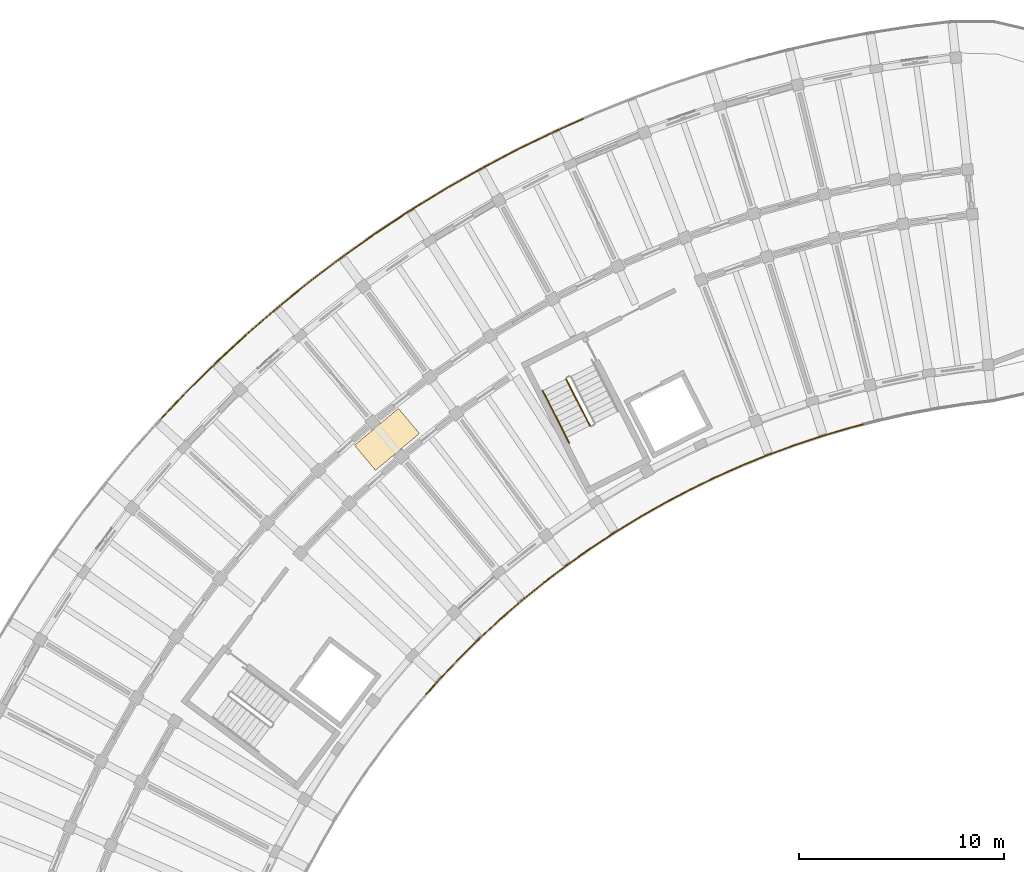
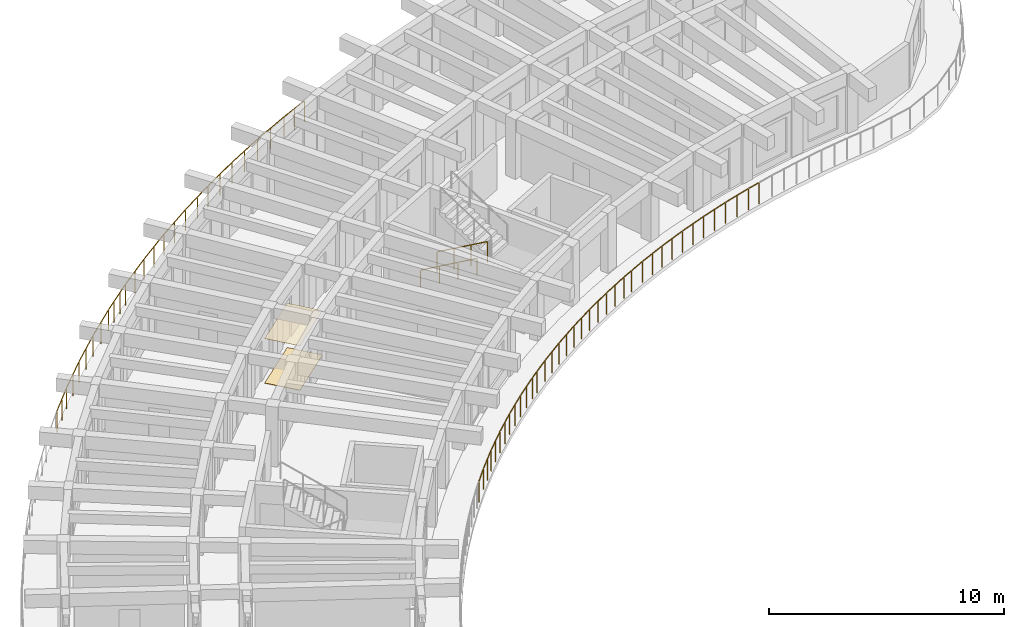
# One storey, part 71 of 81: 10 railings, 2 coverings.
"""IFC4 building model written with IfcOpenShell, lengths in metres."""

from ifc_helpers import new_model, si_unit, direction, frame, origin, origin_2d, place, context, subcontext, project, spatial, rectangle, circle, extrude, material, layer, layer_set, type_object, element, save


model = new_model("IFC4")

# Units and contexts
model_context = context("Model", 3, precision=1e-05, world=origin(), true_north=direction((0.0, 1.0)))
body_context = subcontext(model_context, "Body", "Model", "MODEL_VIEW")
ifc_project = project(units=[si_unit("LENGTHUNIT", "METRE"), si_unit("AREAUNIT", "SQUARE_METRE"), si_unit("VOLUMEUNIT", "CUBIC_METRE"), si_unit("PLANEANGLEUNIT", "RADIAN"), si_unit("MASSUNIT", "GRAM", prefix="KILO")], contexts=[model_context])

# Site, building, storey
site_placement = place(None, origin())
site = spatial("IfcSite", under=ifc_project, at=site_placement, CompositionType="ELEMENT")
building_placement = place(site_placement, origin())
building = spatial("IfcBuilding", under=site, at=building_placement, Name="Tanwirah Colonnade Gardens", CompositionType="ELEMENT")
storey_placement = place(building_placement, frame((0.0, 0.0, 8.840087890625)))
storey = spatial("IfcBuildingStorey", under=building, at=storey_placement, Name="L02", CompositionType="ELEMENT", Elevation=8.840087890625)

# Railings
ifc_material_1 = material(Name="Precast concrete C40/50", Category="concrete")
railing_type_1 = type_object("IfcRailingType", Name="BAL-EXT112", PredefinedType="BALUSTRADE", material=ifc_material_1)
railing_1_placement = place(storey_placement, frame((54.236083984375, 101.494384765625, 0.0)))
element("IfcRailing", 1, at=railing_1_placement, inside=storey, type_object=railing_type_1, Name="Block A L02 Balcony Ribbon Balustrade 2", PredefinedType="BALUSTRADE", context=body_context, shape_type="SweptSolid", body=[
    extrude(circle(Radius=0.02392578125, at=origin_2d()), frame((-0.0302734375, -0.0078125, 1.09619140625), z_axis=(-0.968166647099, -0.250306499006, 0.0), x_axis=(0.250306499006, -0.968166647099, 0.0)), (0.0, 0.0, 1.0), 0.557861328125),
    extrude(circle(Radius=0.02392578125, at=origin_2d()), frame((-0.63330078125, -0.164794921875, 1.09619140625), z_axis=(-0.959362733044, -0.282175736812, 0.0), x_axis=(0.282175736812, -0.959362733044, 0.0)), (0.0, 0.0, 1.0), 1.341796875),
    extrude(circle(Radius=0.02392578125, at=origin_2d()), frame((-1.98291015625, -0.562744140625, 1.09619140625), z_axis=(-0.949531842797, -0.313670654533, 0.0), x_axis=(0.313670654533, -0.949531842797, 0.0)), (0.0, 0.0, 1.0), 1.341552734375),
    extrude(circle(Radius=0.02392578125, at=origin_2d()), frame((-3.318359375, -1.005126953125, 1.09619140625), z_axis=(-0.93868698515, -0.344770567059, 0.0), x_axis=(0.344770567059, -0.93868698515, 0.0)), (0.0, 0.0, 1.0), 1.341796875),
    extrude(circle(Radius=0.02392578125, at=origin_2d()), frame((-4.638671875, -1.4912109375, 1.09619140625), z_axis=(-0.92683738147, -0.375463005247, 0.0), x_axis=(0.375463005247, -0.92683738147, 0.0)), (0.0, 0.0, 1.0), 1.342041015625),
    extrude(circle(Radius=0.02392578125, at=origin_2d()), frame((-5.942138671875, -2.0205078125, 1.09619140625), z_axis=(-0.913997826773, -0.40571908096, 0.0), x_axis=(0.40571908096, -0.913997826773, 0.0)), (0.0, 0.0, 1.0), 1.342041015625),
    extrude(circle(Radius=0.02392578125, at=origin_2d()), frame((-7.2275390625, -2.592529296875, 1.09619140625), z_axis=(-0.900038195948, -0.435811020783, 0.0), x_axis=(0.435811020783, -0.900038195948, 0.0)), (0.0, 0.0, 1.0), 0.779541015625),
    extrude(circle(Radius=0.02099609375, at=origin_2d()), origin(), (0.0, 0.0, 1.0), 1.069091796875),
    extrude(circle(Radius=0.02099609375, at=origin_2d()), frame((-0.6005859375, -0.1552734375, 0.0)), (0.0, 0.0, 1.0), 1.069091796875),
    extrude(circle(Radius=0.02099609375, at=origin_2d()), frame((-1.27685546875, -0.35400390625, 0.0)), (0.0, 0.0, 1.0), 1.069091796875),
    extrude(circle(Radius=0.02099609375, at=origin_2d()), frame((-1.950439453125, -0.55224609375, 0.0)), (0.0, 0.0, 1.0), 1.069091796875),
    extrude(circle(Radius=0.02099609375, at=origin_2d()), frame((-2.61962890625, -0.773193359375, 0.0)), (0.0, 0.0, 1.0), 1.069091796875),
    extrude(circle(Radius=0.02099609375, at=origin_2d()), frame((-3.286376953125, -0.993408203125, 0.0)), (0.0, 0.0, 1.0), 1.069091796875),
    extrude(circle(Radius=0.02099609375, at=origin_2d()), frame((-3.9482421875, -1.236328125, 0.0)), (0.0, 0.0, 1.0), 1.069091796875),
    extrude(circle(Radius=0.02099609375, at=origin_2d()), frame((-4.607177734375, -1.478515625, 0.0)), (0.0, 0.0, 1.0), 1.069091796875),
    extrude(circle(Radius=0.02099609375, at=origin_2d()), frame((-5.260498046875, -1.7431640625, 0.0)), (0.0, 0.0, 1.0), 1.069091796875),
    extrude(circle(Radius=0.02099609375, at=origin_2d()), frame((-5.911376953125, -2.0068359375, 0.0)), (0.0, 0.0, 1.0), 1.069091796875),
    extrude(circle(Radius=0.02099609375, at=origin_2d()), frame((-6.555419921875, -2.292724609375, 0.0)), (0.0, 0.0, 1.0), 1.069091796875),
    extrude(circle(Radius=0.02099609375, at=origin_2d()), frame((-7.197265625, -2.57763671875, 0.0)), (0.0, 0.0, 1.0), 1.069091796875),
    extrude(circle(Radius=0.02099609375, at=origin_2d()), frame((-7.957275390625, -2.94580078125, 0.0)), (0.0, 0.0, 1.0), 1.069091796875),
])
railing_2_placement = place(storey_placement, frame((46.27880859375, 98.548583984375, 0.0)))
element("IfcRailing", 2, at=railing_2_placement, inside=storey, type_object=railing_type_1, Name="Block A L02 Balcony Ribbon Balustrade 3", PredefinedType="BALUSTRADE", context=body_context, shape_type="SweptSolid", body=[
    extrude(circle(Radius=0.02392578125, at=origin_2d()), frame((-0.028076171875, -0.013671875, 1.09619140625), z_axis=(-0.900252558568, -0.435368040619, 0.0), x_axis=(0.435368040619, -0.900252558568, 0.0)), (0.0, 0.0, 1.0), 0.5),
    extrude(circle(Radius=0.02392578125, at=origin_2d()), frame((-0.5361328125, -0.2607421875, 1.09619140625), z_axis=(-0.885204649416, -0.465201814972, 0.0), x_axis=(0.465201814972, -0.885204649416, 0.0)), (0.0, 0.0, 1.0), 1.341796875),
    extrude(circle(Radius=0.02392578125, at=origin_2d()), frame((-1.78125, -0.916015625, 1.09619140625), z_axis=(-0.869342839865, -0.494209496848, 0.0), x_axis=(0.494209496848, -0.869342839865, 0.0)), (0.0, 0.0, 1.0), 1.342041015625),
    extrude(circle(Radius=0.02392578125, at=origin_2d()), frame((-3.00390625, -1.6123046875, 1.09619140625), z_axis=(-0.852623736113, -0.522525372223, 0.0), x_axis=(0.522525372223, -0.852623736113, 0.0)), (0.0, 0.0, 1.0), 1.342041015625),
    extrude(circle(Radius=0.02392578125, at=origin_2d()), frame((-4.203125, -2.34814453125, 1.09619140625), z_axis=(-0.834927342507, -0.550360184547, 0.0), x_axis=(0.550360184547, -0.834927342507, 0.0)), (0.0, 0.0, 1.0), 1.341796875),
    extrude(circle(Radius=0.02392578125, at=origin_2d()), frame((-5.37744140625, -3.12353515625, 1.09619140625), z_axis=(-0.816321661452, -0.577597563226, 0.0), x_axis=(0.577597563226, -0.816321661452, 0.0)), (0.0, 0.0, 1.0), 1.341552734375),
    extrude(circle(Radius=0.02392578125, at=origin_2d()), frame((-6.525146484375, -3.936767578125, 1.09619140625), z_axis=(-0.796799330669, -0.604244012502, 0.0), x_axis=(0.604244012502, -0.796799330669, 0.0)), (0.0, 0.0, 1.0), 0.837646484375),
    extrude(circle(Radius=0.02099609375, at=origin_2d()), origin(), (0.0, 0.0, 1.0), 1.069091796875),
    extrude(circle(Radius=0.02099609375, at=origin_2d()), frame((-0.50634765625, -0.244873046875, 0.0)), (0.0, 0.0, 1.0), 1.069091796875),
    extrude(circle(Radius=0.02099609375, at=origin_2d()), frame((-1.130126953125, -0.57275390625, 0.0)), (0.0, 0.0, 1.0), 1.069091796875),
    extrude(circle(Radius=0.02099609375, at=origin_2d()), frame((-1.751708984375, -0.8994140625, 0.0)), (0.0, 0.0, 1.0), 1.069091796875),
    extrude(circle(Radius=0.02099609375, at=origin_2d()), frame((-2.36474609375, -1.24755859375, 0.0)), (0.0, 0.0, 1.0), 1.069091796875),
    extrude(circle(Radius=0.02099609375, at=origin_2d()), frame((-2.97509765625, -1.5947265625, 0.0)), (0.0, 0.0, 1.0), 1.069091796875),
    extrude(circle(Radius=0.02099609375, at=origin_2d()), frame((-3.576171875, -1.962890625, 0.0)), (0.0, 0.0, 1.0), 1.069091796875),
    extrude(circle(Radius=0.02099609375, at=origin_2d()), frame((-4.1748046875, -2.329833984375, 0.0)), (0.0, 0.0, 1.0), 1.069091796875),
    extrude(circle(Radius=0.02099609375, at=origin_2d()), frame((-4.76318359375, -2.717529296875, 0.0)), (0.0, 0.0, 1.0), 1.069091796875),
    extrude(circle(Radius=0.02099609375, at=origin_2d()), frame((-5.349609375, -3.10400390625, 0.0)), (0.0, 0.0, 1.0), 1.069091796875),
    extrude(circle(Radius=0.02099609375, at=origin_2d()), frame((-5.9248046875, -3.510986328125, 0.0)), (0.0, 0.0, 1.0), 1.069091796875),
    extrude(circle(Radius=0.02099609375, at=origin_2d()), frame((-6.498046875, -3.91650390625, 0.0)), (0.0, 0.0, 1.0), 1.069091796875),
    extrude(circle(Radius=0.02099609375, at=origin_2d()), frame((-7.217529296875, -4.4619140625, 0.0)), (0.0, 0.0, 1.0), 1.069091796875),
])
railing_3_placement = place(storey_placement, frame((39.061279296875, 94.086669921875, 0.0)))
element("IfcRailing", 3, at=railing_3_placement, inside=storey, type_object=railing_type_1, Name="Block A L02 Balcony Ribbon Balustrade 4", PredefinedType="BALUSTRADE", context=body_context, shape_type="SweptSolid", body=[
    extrude(circle(Radius=0.02392578125, at=origin_2d()), frame((-0.02490234375, -0.018798828125, 1.09619140625), z_axis=(-0.796852005176, -0.604174545845, 0.0), x_axis=(0.604174545845, -0.796852005176, 0.0)), (0.0, 0.0, 1.0), 0.44189453125),
    extrude(circle(Radius=0.02392578125, at=origin_2d()), frame((-0.427978515625, -0.325927734375, 1.09619140625), z_axis=(-0.776491375378, -0.630127879056, 0.0), x_axis=(0.630127879056, -0.776491375378, 0.0)), (0.0, 0.0, 1.0), 1.342041015625),
    extrude(circle(Radius=0.02392578125, at=origin_2d()), frame((-1.52001953125, -1.21337890625, 1.09619140625), z_axis=(-0.755402192857, -0.655261418845, 0.0), x_axis=(0.655261418845, -0.755402192857, 0.0)), (0.0, 0.0, 1.0), 1.341796875),
    extrude(circle(Radius=0.02392578125, at=origin_2d()), frame((-2.58203125, -2.135986328125, 1.09619140625), z_axis=(-0.73336899588, -0.679830799451, 0.0), x_axis=(0.679830799451, -0.73336899588, 0.0)), (0.0, 0.0, 1.0), 1.342041015625),
    extrude(circle(Radius=0.02392578125, at=origin_2d()), frame((-3.61328125, -3.09326171875, 1.09619140625), z_axis=(-0.710488556831, -0.703708754111, 0.0), x_axis=(0.703708754111, -0.710488556831, 0.0)), (0.0, 0.0, 1.0), 1.341796875),
    extrude(circle(Radius=0.02392578125, at=origin_2d()), frame((-4.612060546875, -4.084228515625, 1.09619140625), z_axis=(-0.687011382404, -0.726646654466, 0.0), x_axis=(0.726646654466, -0.687011382404, 0.0)), (0.0, 0.0, 1.0), 1.341796875),
    extrude(circle(Radius=0.02392578125, at=origin_2d()), frame((-5.577880859375, -5.107421875, 1.09619140625), z_axis=(-0.662590378068, -0.74898196967, 0.0), x_axis=(0.74898196967, -0.662590378068, 0.0)), (0.0, 0.0, 1.0), 0.8955078125),
    extrude(circle(Radius=0.02099609375, at=origin_2d()), origin(), (0.0, 0.0, 1.0), 1.069091796875),
    extrude(circle(Radius=0.02099609375, at=origin_2d()), frame((-0.40185546875, -0.3046875, 0.0)), (0.0, 0.0, 1.0), 1.069091796875),
    extrude(circle(Radius=0.02099609375, at=origin_2d()), frame((-0.94921875, -0.74853515625, 0.0)), (0.0, 0.0, 1.0), 1.069091796875),
    extrude(circle(Radius=0.02099609375, at=origin_2d()), frame((-1.494384765625, -1.191162109375, 0.0)), (0.0, 0.0, 1.0), 1.069091796875),
    extrude(circle(Radius=0.02099609375, at=origin_2d()), frame((-2.02685546875, -1.65283203125, 0.0)), (0.0, 0.0, 1.0), 1.069091796875),
    extrude(circle(Radius=0.02099609375, at=origin_2d()), frame((-2.55712890625, -2.113037109375, 0.0)), (0.0, 0.0, 1.0), 1.069091796875),
    extrude(circle(Radius=0.02099609375, at=origin_2d()), frame((-3.07421875, -2.59228515625, 0.0)), (0.0, 0.0, 1.0), 1.069091796875),
    extrude(circle(Radius=0.02099609375, at=origin_2d()), frame((-3.589111328125, -3.069580078125, 0.0)), (0.0, 0.0, 1.0), 1.069091796875),
    extrude(circle(Radius=0.02099609375, at=origin_2d()), frame((-4.08984375, -3.5654296875, 0.0)), (0.0, 0.0, 1.0), 1.069091796875),
    extrude(circle(Radius=0.02099609375, at=origin_2d()), frame((-4.5888671875, -4.0595703125, 0.0)), (0.0, 0.0, 1.0), 1.069091796875),
    extrude(circle(Radius=0.02099609375, at=origin_2d()), frame((-5.072998046875, -4.57177734375, 0.0)), (0.0, 0.0, 1.0), 1.069091796875),
    extrude(circle(Radius=0.02099609375, at=origin_2d()), frame((-5.555419921875, -5.08203125, 0.0)), (0.0, 0.0, 1.0), 1.069091796875),
    extrude(circle(Radius=0.02099609375, at=origin_2d()), frame((-6.19189453125, -5.801513671875, 0.0)), (0.0, 0.0, 1.0), 1.069091796875),
])
railing_4_placement = place(storey_placement, frame((19.91796875, 101.760986328125, 0.0)))
element("IfcRailing", 4, at=railing_4_placement, inside=storey, type_object=railing_type_1, Name="Block A L02 Balcony Ribbon Balustrade 14", PredefinedType="BALUSTRADE", context=body_context, shape_type="SweptSolid", body=[
    extrude(circle(Radius=0.02392578125, at=origin_2d()), frame((0.021484375, 0.022705078125, 1.09619140625), z_axis=(0.686974448696, 0.726681571831, 0.0), x_axis=(-0.726681571831, 0.686974448696, 0.0)), (0.0, 0.0, 1.0), 1.71435546875),
    extrude(circle(Radius=0.02392578125, at=origin_2d()), frame((1.242919921875, 1.313232421875, 1.09619140625), z_axis=(0.710480209462, 0.703717181801, 0.0), x_axis=(-0.703717181801, 0.710480209462, 0.0)), (0.0, 0.0, 1.0), 1.958984375),
    extrude(circle(Radius=0.02392578125, at=origin_2d()), frame((2.679931640625, 2.735107421875, 1.09619140625), z_axis=(0.733352454033, 0.679848643569, 0.0), x_axis=(-0.679848643569, 0.733352454033, 0.0)), (0.0, 0.0, 1.0), 1.958984375),
    extrude(circle(Radius=0.02392578125, at=origin_2d()), frame((4.1630859375, 4.108642578125, 1.09619140625), z_axis=(0.755338292497, 0.655335077565, 0.0), x_axis=(-0.655335077565, 0.755338292497, 0.0)), (0.0, 0.0, 1.0), 1.958984375),
    extrude(circle(Radius=0.02392578125, at=origin_2d()), frame((5.6904296875, 5.4326171875, 1.09619140625), z_axis=(0.776510659425, 0.630104115047, 0.0), x_axis=(-0.630104115047, 0.776510659425, 0.0)), (0.0, 0.0, 1.0), 0.59619140625),
    extrude(circle(Radius=0.02099609375, at=origin_2d()), origin(), (0.0, 0.0, 1.0), 1.069091796875),
    extrude(circle(Radius=0.02099609375, at=origin_2d()), frame((0.6103515625, 0.6455078125, 0.0)), (0.0, 0.0, 1.0), 1.069091796875),
    extrude(circle(Radius=0.02099609375, at=origin_2d()), frame((1.220703125, 1.291259765625, 0.0)), (0.0, 0.0, 1.0), 1.069091796875),
    extrude(circle(Radius=0.02099609375, at=origin_2d()), frame((1.93896484375, 2.00244140625, 0.0)), (0.0, 0.0, 1.0), 1.069091796875),
    extrude(circle(Radius=0.02099609375, at=origin_2d()), frame((2.656982421875, 2.7138671875, 0.0)), (0.0, 0.0, 1.0), 1.069091796875),
    extrude(circle(Radius=0.02099609375, at=origin_2d()), frame((3.398193359375, 3.40087890625, 0.0)), (0.0, 0.0, 1.0), 1.069091796875),
    extrude(circle(Radius=0.02099609375, at=origin_2d()), frame((4.139404296875, 4.088134765625, 0.0)), (0.0, 0.0, 1.0), 1.069091796875),
    extrude(circle(Radius=0.02099609375, at=origin_2d()), frame((4.90283203125, 4.75048828125, 0.0)), (0.0, 0.0, 1.0), 1.069091796875),
    extrude(circle(Radius=0.02099609375, at=origin_2d()), frame((5.666259765625, 5.412841796875, 0.0)), (0.0, 0.0, 1.0), 1.069091796875),
    extrude(circle(Radius=0.02099609375, at=origin_2d()), frame((6.177734375, 5.827880859375, 0.0)), (0.0, 0.0, 1.0), 1.069091796875),
])
railing_5_placement = place(storey_placement, frame((26.095703125, 107.5888671875, 0.0)))
element("IfcRailing", 5, at=railing_5_placement, inside=storey, type_object=railing_type_1, Name="Block A L02 Balcony Ribbon Balustrade 15", PredefinedType="BALUSTRADE", context=body_context, shape_type="SweptSolid", body=[
    extrude(circle(Radius=0.02392578125, at=origin_2d()), frame((0.024169921875, 0.019775390625, 1.09619140625), z_axis=(0.776568601174, 0.630032703652, 0.0), x_axis=(-0.630032703652, 0.776568601174, 0.0)), (0.0, 0.0, 1.0), 1.30029296875),
    extrude(circle(Radius=0.02392578125, at=origin_2d()), frame((1.083251953125, 0.87744140625, 1.09619140625), z_axis=(0.796887753746, 0.604127393792, 0.0), x_axis=(-0.604127393792, 0.796887753746, 0.0)), (0.0, 0.0, 1.0), 1.958984375),
    extrude(circle(Radius=0.02392578125, at=origin_2d()), frame((2.69482421875, 2.097900390625, 1.09619140625), z_axis=(0.816344803849, 0.577564854565, 0.0), x_axis=(-0.577564854565, 0.816344803849, 0.0)), (0.0, 0.0, 1.0), 1.958740234375),
    extrude(circle(Radius=0.02392578125, at=origin_2d()), frame((4.345458984375, 3.264404296875, 1.09619140625), z_axis=(0.834955682369, 0.550317188973, 0.0), x_axis=(-0.550317188973, 0.834955682369, 0.0)), (0.0, 0.0, 1.0), 1.959228515625),
    extrude(circle(Radius=0.02392578125, at=origin_2d()), frame((6.033935546875, 4.376220703125, 1.09619140625), z_axis=(0.852594710096, 0.522572732082, 0.0), x_axis=(-0.522572732082, 0.852594710096, 0.0)), (0.0, 0.0, 1.0), 1.01025390625),
    extrude(circle(Radius=0.02099609375, at=origin_2d()), origin(), (0.0, 0.0, 1.0), 1.069091796875),
    extrude(circle(Radius=0.02099609375, at=origin_2d()), frame((0.529296875, 0.42919921875, 0.0)), (0.0, 0.0, 1.0), 1.069091796875),
    extrude(circle(Radius=0.02099609375, at=origin_2d()), frame((1.058349609375, 0.858642578125, 0.0)), (0.0, 0.0, 1.0), 1.069091796875),
    extrude(circle(Radius=0.02099609375, at=origin_2d()), frame((1.86376953125, 1.46923828125, 0.0)), (0.0, 0.0, 1.0), 1.069091796875),
    extrude(circle(Radius=0.02099609375, at=origin_2d()), frame((2.669189453125, 2.079833984375, 0.0)), (0.0, 0.0, 1.0), 1.069091796875),
    extrude(circle(Radius=0.02099609375, at=origin_2d()), frame((3.494140625, 2.66357421875, 0.0)), (0.0, 0.0, 1.0), 1.069091796875),
    extrude(circle(Radius=0.02099609375, at=origin_2d()), frame((4.3193359375, 3.247314453125, 0.0)), (0.0, 0.0, 1.0), 1.069091796875),
    extrude(circle(Radius=0.02099609375, at=origin_2d()), frame((5.163330078125, 3.8037109375, 0.0)), (0.0, 0.0, 1.0), 1.069091796875),
    extrude(circle(Radius=0.02099609375, at=origin_2d()), frame((6.00732421875, 4.35986328125, 0.0)), (0.0, 0.0, 1.0), 1.069091796875),
    extrude(circle(Radius=0.02099609375, at=origin_2d()), frame((6.921875, 4.92041015625, 0.0)), (0.0, 0.0, 1.0), 1.069091796875),
])
railing_6_placement = place(storey_placement, frame((33.017578125, 112.50927734375, 0.0)))
element("IfcRailing", 6, at=railing_6_placement, inside=storey, type_object=railing_type_1, Name="Block A L02 Balcony Ribbon Balustrade 16", PredefinedType="BALUSTRADE", context=body_context, shape_type="SweptSolid", body=[
    extrude(circle(Radius=0.02392578125, at=origin_2d()), frame((0.026611328125, 0.016357421875, 1.09619140625), z_axis=(0.852734357798, 0.522344823877, 0.0), x_axis=(-0.522344823877, 0.852734357798, 0.0)), (0.0, 0.0, 1.0), 0.88623046875),
    extrude(circle(Radius=0.02392578125, at=origin_2d()), frame((0.836181640625, 0.510986328125, 1.09619140625), z_axis=(0.869392881113, 0.494121461049, 0.0), x_axis=(-0.494121461049, 0.869392881113, 0.0)), (0.0, 0.0, 1.0), 1.958740234375),
    extrude(circle(Radius=0.02392578125, at=origin_2d()), frame((2.593994140625, 1.509033203125, 1.09619140625), z_axis=(0.885211446817, 0.465188880374, 0.0), x_axis=(-0.465188880374, 0.885211446817, 0.0)), (0.0, 0.0, 1.0), 1.958984375),
    extrude(circle(Radius=0.02392578125, at=origin_2d()), frame((4.384033203125, 2.448486328125, 1.09619140625), z_axis=(0.900055350621, 0.435775591122, 0.0), x_axis=(-0.435775591122, 0.900055350621, 0.0)), (0.0, 0.0, 1.0), 1.958740234375),
    extrude(circle(Radius=0.02392578125, at=origin_2d()), frame((6.203857421875, 3.328369140625, 1.09619140625), z_axis=(0.913919852198, 0.405894695406, 0.0), x_axis=(-0.405894695406, 0.913919852198, 0.0)), (0.0, 0.0, 1.0), 1.42431640625),
    extrude(circle(Radius=0.02099609375, at=origin_2d()), origin(), (0.0, 0.0, 1.0), 1.069091796875),
    extrude(circle(Radius=0.02099609375, at=origin_2d()), frame((0.80908203125, 0.49560546875, 0.0)), (0.0, 0.0, 1.0), 1.069091796875),
    extrude(circle(Radius=0.02099609375, at=origin_2d()), frame((1.687744140625, 0.9951171875, 0.0)), (0.0, 0.0, 1.0), 1.069091796875),
    extrude(circle(Radius=0.02099609375, at=origin_2d()), frame((2.56640625, 1.494384765625, 0.0)), (0.0, 0.0, 1.0), 1.069091796875),
    extrude(circle(Radius=0.02099609375, at=origin_2d()), frame((3.461181640625, 1.964599609375, 0.0)), (0.0, 0.0, 1.0), 1.069091796875),
    extrude(circle(Radius=0.02099609375, at=origin_2d()), frame((4.35595703125, 2.434814453125, 0.0)), (0.0, 0.0, 1.0), 1.069091796875),
    extrude(circle(Radius=0.02099609375, at=origin_2d()), frame((5.265625, 2.875244140625, 0.0)), (0.0, 0.0, 1.0), 1.069091796875),
    extrude(circle(Radius=0.02099609375, at=origin_2d()), frame((6.17529296875, 3.315673828125, 0.0)), (0.0, 0.0, 1.0), 1.069091796875),
    extrude(circle(Radius=0.02099609375, at=origin_2d()), frame((6.854736328125, 3.617431640625, 0.0)), (0.0, 0.0, 1.0), 1.069091796875),
    extrude(circle(Radius=0.02099609375, at=origin_2d()), frame((7.5341796875, 3.919189453125, 0.0)), (0.0, 0.0, 1.0), 1.069091796875),
])

# Coverings
ifc_material_2 = material(Name="Acoustic perforated gypsum ceiling board")
ifc_layer_1 = layer(ifc_material_2, 0.014892578125)
ifc_layer_set_1 = layer_set([ifc_layer_1], Name="Acoustic perforated gypsum ceiling board")
covering_type_1 = type_object("IfcCoveringType", Name="COV-CEIL15", PredefinedType="CEILING", material=ifc_layer_set_1)
covering_1_placement = place(storey_placement, frame((30.96435546875, 100.761962890625, 2.3125), z_axis=(0.0, 0.0, 1.0), x_axis=(-0.766044443119, -0.642787609687, 0.0)))
element("IfcCovering", 7, at=covering_1_placement, inside=storey, type_object=covering_type_1, Name="Block A L02 Corridor Acoustic Ceiling", PredefinedType="CEILING", context=body_context, shape_type="SweptSolid", body=[
    extrude(rectangle(XDim=2.800048828125, YDim=1.60009765625, at=origin_2d()), origin(), (0.0, 0.0, 1.0), 0.014892578125),
])
ifc_material_3 = material(Name="Honed Abu Dhabi limestone terrazzo flooring", Category="masonry")
ifc_layer_2 = layer(ifc_material_3, 0.02001953125)
ifc_layer_set_2 = layer_set([ifc_layer_2], Name="Honed Abu Dhabi limestone terrazzo flooring")
covering_type_2 = type_object("IfcCoveringType", Name="COV-FLR20", PredefinedType="FLOORING", material=ifc_layer_set_2)
covering_2_placement = place(storey_placement, frame((30.96435546875, 100.761962890625, 0.0), z_axis=(0.0, 0.0, 1.0), x_axis=(-0.766044443119, -0.642787609687, 0.0)))
element("IfcCovering", 8, at=covering_2_placement, inside=storey, type_object=covering_type_2, Name="Block A L02 Corridor Terrazzo Flooring", PredefinedType="FLOORING", context=body_context, shape_type="SweptSolid", body=[
    extrude(rectangle(XDim=2.800048828125, YDim=1.60009765625, at=origin_2d()), origin(), (0.0, 0.0, 1.0), 0.02001953125),
])

# Railings
ifc_material_4 = material(Name="Powder-coated galvanized steel", Category="steel")
railing_type_2 = type_object("IfcRailingType", Name="GRD-ST110", PredefinedType="GUARDRAIL", material=ifc_material_4)
railing_7_placement = place(storey_placement, frame((39.718994140625, 103.715576171875, 0.16796875)))
element("IfcRailing", 9, at=railing_7_placement, inside=storey, type_object=railing_type_2, Name="L02 ST-A1 stair guard 1", PredefinedType="GUARDRAIL", context=body_context, shape_type="SweptSolid", body=[
    extrude(circle(Radius=0.02392578125, at=origin_2d()), frame((0.01220703125, -0.02392578125, 1.092041015625), z_axis=(0.391052831089, -0.767591854021, 0.507819287678), x_axis=(0.891032232724, 0.453940040365, 0.0)), (0.0, 0.0, 1.0), 2.914794921875),
    extrude(circle(Radius=0.02099609375, at=origin_2d()), origin(), (0.0, 0.0, 1.0), 1.049072265625),
    extrude(circle(Radius=0.02099609375, at=origin_2d()), frame((0.38818359375, -0.76171875, 0.50390625)), (0.0, 0.0, 1.0), 1.049072265625),
    extrude(circle(Radius=0.02099609375, at=origin_2d()), frame((0.776123046875, -1.523681640625, 1.008056640625)), (0.0, 0.0, 1.0), 1.049072265625),
    extrude(circle(Radius=0.02099609375, at=origin_2d()), frame((1.164306640625, -2.285400390625, 1.511962890625)), (0.0, 0.0, 1.0), 1.049072265625),
])
ifc_material_5 = material(Name="Brushed bronze stainless steel", Category="steel")
railing_type_3 = type_object("IfcRailingType", Name="HR-ST090", PredefinedType="HANDRAIL", material=ifc_material_5)
railing_8_placement = place(storey_placement, frame((38.578369140625, 103.134521484375, 0.16796875)))
element("IfcRailing", 10, at=railing_8_placement, inside=storey, type_object=railing_type_3, Name="L02 ST-A1 stair handrail 1", PredefinedType="HANDRAIL", context=body_context, shape_type="SweptSolid", body=[
    extrude(circle(Radius=0.02392578125, at=origin_2d()), frame((0.01220703125, -0.02392578125, 0.891845703125), z_axis=(0.390051618152, -0.765534245474, 0.511680617361), x_axis=(0.891010084603, 0.453983511965, 0.0)), (0.0, 0.0, 1.0), 1.04345703125),
    extrude(circle(Radius=0.02099609375, at=origin_2d()), origin(), (0.0, 0.0, 1.0), 0.848876953125),
    extrude(circle(Radius=0.02099609375, at=origin_2d()), frame((0.431396484375, -0.8466796875, 0.56591796875)), (0.0, 0.0, 1.0), 0.848876953125),
])
railing_9_placement = place(storey_placement, frame((39.009765625, 102.287841796875, 0.73388671875)))
element("IfcRailing", 11, at=railing_9_placement, inside=storey, type_object=railing_type_3, Name="L02 ST-A1 stair handrail 2", PredefinedType="HANDRAIL", context=body_context, shape_type="SweptSolid", body=[
    extrude(circle(Radius=0.02392578125, at=origin_2d()), frame((0.01220703125, -0.02392578125, 0.891845703125), z_axis=(0.38993033558, -0.765508761867, 0.511811165275), x_axis=(0.891061070925, 0.453883429839, 0.0)), (0.0, 0.0, 1.0), 1.043212890625),
    extrude(circle(Radius=0.02099609375, at=origin_2d()), origin(), (0.0, 0.0, 1.0), 0.848876953125),
    extrude(circle(Radius=0.02099609375, at=origin_2d()), frame((0.43115234375, -0.846435546875, 0.56591796875)), (0.0, 0.0, 1.0), 0.848876953125),
])
railing_10_placement = place(storey_placement, frame((39.44091796875, 101.44140625, 1.2998046875)))
element("IfcRailing", 12, at=railing_10_placement, inside=storey, type_object=railing_type_3, Name="L02 ST-A1 stair handrail 3", PredefinedType="HANDRAIL", context=body_context, shape_type="SweptSolid", body=[
    extrude(circle(Radius=0.02392578125, at=origin_2d()), frame((0.01220703125, -0.02392578125, 0.891845703125), z_axis=(0.390073458003, -0.765356354779, 0.511930022133), x_axis=(0.890957114254, 0.454087459154, 0.0)), (0.0, 0.0, 1.0), 1.04345703125),
    extrude(circle(Radius=0.02099609375, at=origin_2d()), origin(), (0.0, 0.0, 1.0), 0.848876953125),
    extrude(circle(Radius=0.02099609375, at=origin_2d()), frame((0.431396484375, -0.846435546875, 0.566162109375)), (0.0, 0.0, 1.0), 0.848876953125),
])

save(model, "model.ifc")
